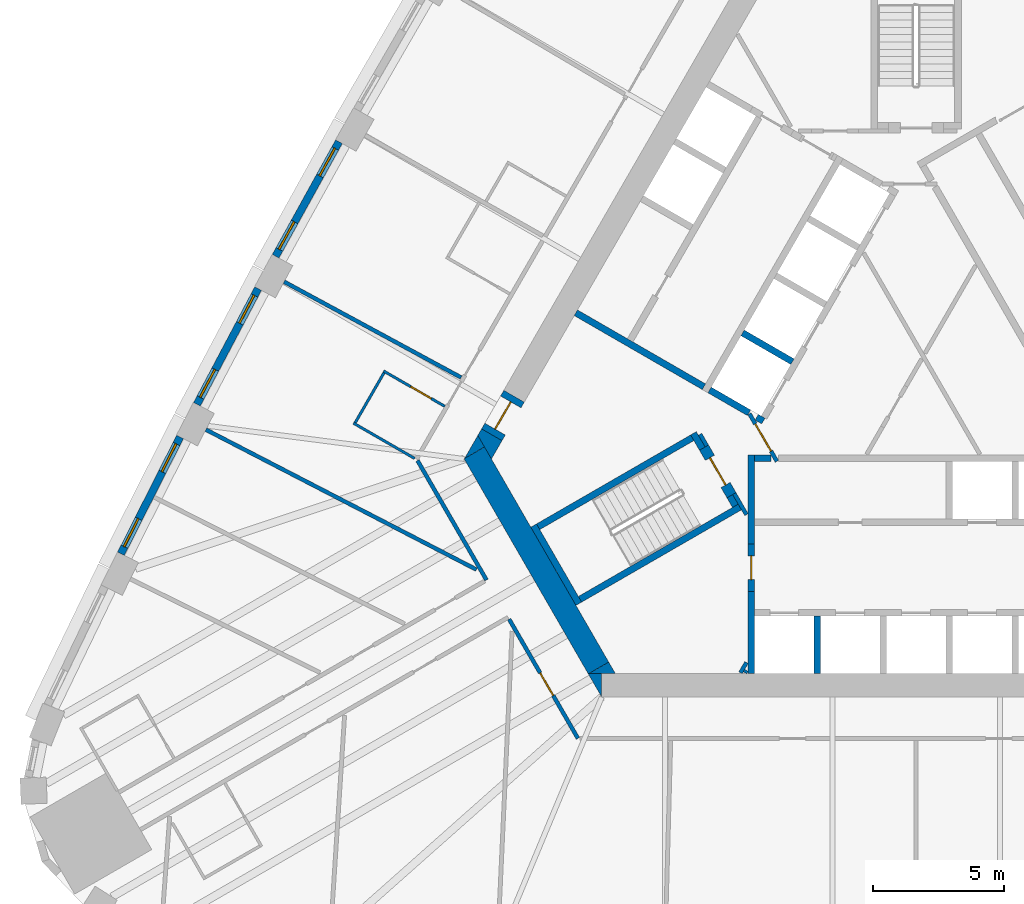
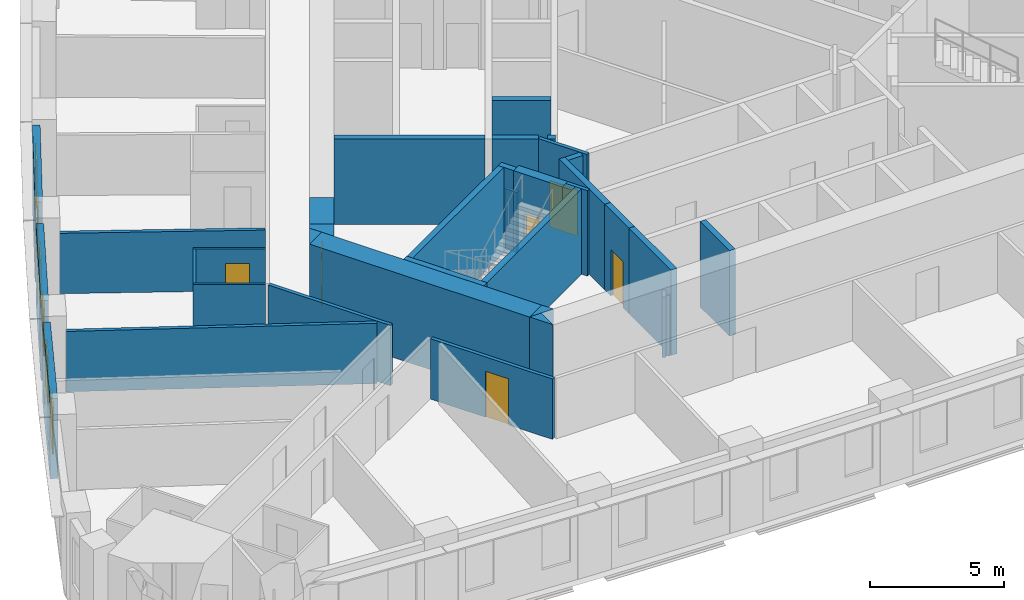
# One storey, part 4 of 12: 36 walls, 6 doors, 6 windows, 12 openings.
"""IFC4 building model written with IfcOpenShell, lengths in metres."""

from ifc_helpers import new_model, si_unit, direction, frame, frame_2d, origin, place, context, subcontext, project, spatial, polyline, rectangle, outline, extrude, material, layer, layer_set, type_object, element, fill, save


model = new_model("IFC4")

# Units and contexts
model_context = context("Model", 3, precision=1e-05, world=origin(), true_north=direction((0.0, 1.0)))
body_context = subcontext(model_context, "Body", "Model", "MODEL_VIEW")
ifc_project = project(units=[si_unit("LENGTHUNIT", "METRE"), si_unit("AREAUNIT", "SQUARE_METRE"), si_unit("VOLUMEUNIT", "CUBIC_METRE"), si_unit("PLANEANGLEUNIT", "RADIAN"), si_unit("MASSUNIT", "GRAM", prefix="KILO")], contexts=[model_context])

# Site, building, storey
site_placement = place(None, origin())
site = spatial("IfcSite", under=ifc_project, at=site_placement, CompositionType="ELEMENT")
building_placement = place(site_placement, origin())
building = spatial("IfcBuilding", under=site, at=building_placement, Name="Mestral Congress Tower", CompositionType="ELEMENT")
storey_placement = place(building_placement, frame((0.0, 0.0, 43.199951171875)))
storey = spatial("IfcBuildingStorey", under=building, at=storey_placement, Name="L09", CompositionType="ELEMENT", Elevation=43.199951171875)

# Walls
ifc_material_1 = material(Name="Fire-rated board partition")
ifc_layer_1 = layer(ifc_material_1, 0.14990234375)
ifc_layer_set_1 = layer_set([ifc_layer_1], Name="Fire-rated board partition")
wall_type_1 = type_object("IfcWallType", Name="Core partition 150", PredefinedType="PARTITIONING", material=ifc_layer_set_1)
wall_1_placement = place(storey_placement, frame((-6.707763671875, -12.068115234375, 0.0), z_axis=(0.0, 0.0, 1.0), x_axis=(0.500000789788, 0.8660249478, 0.0)))
element("IfcWall", 1, at=wall_1_placement, inside=storey, type_object=wall_type_1, Name="L09 core wall", PredefinedType="PARTITIONING", context=body_context, shape_type="SweptSolid", body=[
    extrude(rectangle(XDim=0.45556640625, YDim=0.14990234375, at=frame_2d((0.227783203125, 0.0))), origin(), (0.0, 0.0, 1.0), 2.75),
])
wall_2_placement = place(storey_placement, frame((-6.534423828125, -12.068115234375, 0.0), z_axis=(0.0, 0.0, 1.0), x_axis=(0.500240224089, 0.865886665912, 0.0)))
element("IfcWall", 2, at=wall_2_placement, inside=storey, type_object=wall_type_1, Name="L09 core wall", PredefinedType="PARTITIONING", context=body_context, shape_type="SweptSolid", body=[
    extrude(rectangle(XDim=0.10888671875, YDim=0.14990234375, at=frame_2d((0.054443359375, 0.0))), origin(), (0.0, 0.0, 1.0), 2.75),
])
wall_3_placement = place(storey_placement, frame((-8.251953125, -2.958251953125, 0.0), z_axis=(0.0, 0.0, 1.0), x_axis=(0.500174715838, -0.865924508047, 0.0)))
element("IfcWall", 3, at=wall_3_placement, inside=storey, type_object=wall_type_1, Name="L09 core wall", PredefinedType="PARTITIONING", context=body_context, shape_type="SweptSolid", body=[
    extrude(rectangle(XDim=0.513916015625, YDim=0.14990234375, at=frame_2d((0.2568359375, 0.0))), origin(), (0.0, 0.0, 1.0), 2.75),
])
ifc_material_2 = material(Name="Concrete C60/75", Category="concrete")
ifc_layer_2 = layer(ifc_material_2, 0.89990234375)
ifc_layer_set_2 = layer_set([ifc_layer_2], Name="Concrete C60/75")
wall_type_2 = type_object("IfcWallType", Name="Core wall RC 900", PredefinedType="SOLIDWALL", material=ifc_layer_set_2)
placement = place(storey_placement, origin())
element("IfcWall", 4, at=placement, inside=storey, type_object=wall_type_2, Name="L09 core wall", PredefinedType="SOLIDWALL", context=body_context, shape_type="SweptSolid", body=[
    extrude(outline(polyline([(-12.528564453125, -12.10009765625), (-12.0205078125, -12.10009765625), (-12.0205078125, -12.97998046875), (-12.528564453125, -12.10009765625)])), origin(), (0.0, 0.0, 1.0), 3.900146484375),
])
wall_5_placement = place(storey_placement, frame((-12.134033203125, -11.88330078125, 0.0), z_axis=(0.0, 0.0, 1.0), x_axis=(-0.500005339912, 0.866022320763, 0.0)))
element("IfcWall", 5, at=wall_5_placement, inside=storey, type_object=wall_type_2, Name="L09 core wall", PredefinedType="SOLIDWALL", context=body_context, shape_type="SweptSolid", body=[
    extrude(rectangle(XDim=9.48779296875, YDim=0.89990234375, at=frame_2d((4.743896484375, 0.0))), origin(), (0.0, 0.0, 1.0), 3.900146484375),
])
element("IfcWall", 6, at=placement, inside=storey, type_object=wall_type_2, Name="L09 core wall", PredefinedType="SOLIDWALL", context=body_context, shape_type="SweptSolid", body=[
    extrude(outline(polyline([(-16.4892578125, -3.43994140625), (-17.251220703125, -3.8798828125), (-16.7431640625, -3.0), (-16.4892578125, -3.43994140625)])), origin(), (0.0, 0.0, 1.0), 3.900146484375),
])
element("IfcWall", 7, at=placement, inside=storey, type_object=wall_type_2, Name="L09 core wall", PredefinedType="SOLIDWALL", context=body_context, shape_type="SweptSolid", body=[
    extrude(outline(polyline([(-11.4892578125, -12.10009765625), (-12.50537109375, -12.10009765625), (-11.743408203125, -11.66015625), (-11.4892578125, -12.10009765625)])), origin(), (0.0, 0.0, 1.0), 3.900146484375),
])
element("IfcWall", 8, at=placement, inside=storey, type_object=wall_type_2, Name="L09 core wall", PredefinedType="SOLIDWALL", context=body_context, shape_type="SweptSolid", body=[
    extrude(outline(polyline([(-15.81982421875, -3.20068359375), (-16.223388671875, -3.89990234375), (-16.7431640625, -3.0), (-16.599365234375, -2.750732421875), (-15.81982421875, -3.20068359375)])), origin(), (0.0, 0.0, 1.0), 3.900146484375),
])

# Wall, opening, door
wall_9_placement = place(storey_placement, frame((-16.20947265625, -2.9755859375, 0.0), z_axis=(0.0, 0.0, 1.0), x_axis=(0.499954529098, 0.86605165483, 0.0)))
wall_9 = element("IfcWall", 9, at=wall_9_placement, inside=storey, type_object=wall_type_2, Name="L09 door wall", PredefinedType="SOLIDWALL", context=body_context, shape_type="SweptSolid", body=[
    extrude(rectangle(XDim=1.699951171875, YDim=0.89990234375, at=frame_2d((0.85009765625, 0.0))), origin(), (0.0, 0.0, 1.0), 3.900146484375),
])
opening_1_placement = place(wall_9_placement, frame((0.25, 0.0, 0.0)))
opening_1 = element("IfcOpeningElement", 10, at=opening_1_placement, cuts=wall_9, Name="Opening XD3", PredefinedType="OPENING", context=body_context, shape_type="SweptSolid", body=[
    extrude(rectangle(XDim=1.199951171875, YDim=2.10009765625, at=frame_2d((0.60009765625, 1.050048828125))), frame((0.0, 0.4599609375, 0.0), z_axis=(0.0, -1.0, 0.0), x_axis=(1.0, 0.0, 0.0)), (0.0, 0.0, 1.0), 0.919921875),
])
ifc_material_3 = material(Name="Fire-rated steel door set", Category="steel")
door_type_1 = type_object("IfcDoorType", Name="Core door XD 1200x2100", OperationType="SINGLE_SWING_LEFT", PredefinedType="DOOR", material=ifc_material_3)
door_1_placement = place(opening_1_placement, origin())
door_1 = element("IfcDoor", 11, at=door_1_placement, inside=storey, type_object=door_type_1, Name="Door XD3", OperationType="SINGLE_SWING_LEFT", OverallHeight=2.10009765625, OverallWidth=1.199951171875, PredefinedType="DOOR", context=body_context, shape_type="SweptSolid", body=[
    extrude(rectangle(XDim=1.199951171875, YDim=2.10009765625, at=frame_2d((0.60009765625, 1.050048828125))), frame((0.0, 0.02490234375, 0.0), z_axis=(0.0, -1.0, 0.0), x_axis=(1.0, 0.0, 0.0)), (0.0, 0.0, 1.0), 0.050048828125),
])
fill(opening_1, door_1)

# Wall, openings, windows
ifc_material_4 = material(Name="Precast concrete C40/50 with limestone facing", Category="masonry")
ifc_layer_3 = layer(ifc_material_4, 0.2900390625)
ifc_layer_set_3 = layer_set([ifc_layer_3], Name="Precast concrete C40/50 with limestone facing")
wall_type_3 = type_object("IfcWallType", Name="Facade stone wall 290", PredefinedType="SOLIDWALL", material=ifc_layer_set_3)
wall_10_placement = place(storey_placement, frame((-22.049560546875, 8.2197265625, 0.0), z_axis=(0.0, 0.0, 1.0), x_axis=(-0.483912572871, -0.875116347589, 0.0)))
wall_10 = element("IfcWall", 12, at=wall_10_placement, inside=storey, type_object=wall_type_3, Name="Facade wall F2-05", PredefinedType="SOLIDWALL", context=body_context, shape_type="SweptSolid", body=[
    extrude(rectangle(XDim=4.998291015625, YDim=0.2900390625, at=frame_2d((2.4990234375, 0.0))), origin(), (0.0, 0.0, 1.0), 3.650146484375),
])
opening_2_placement = place(wall_10_placement, frame((0.297119140625, 0.0, 0.89990234375)))
opening_2 = element("IfcOpeningElement", 13, at=opening_2_placement, cuts=wall_10, Name="Opening W1", PredefinedType="OPENING", context=body_context, shape_type="SweptSolid", body=[
    extrude(rectangle(XDim=1.199951171875, YDim=2.14990234375, at=frame_2d((0.60009765625, 1.074951171875))), frame((0.0, 0.155029296875, 0.0), z_axis=(0.0, -1.0, 0.0), x_axis=(1.0, 0.0, 0.0)), (0.0, 0.0, 1.0), 0.31005859375),
])
opening_3_placement = place(wall_10_placement, frame((3.501220703125, 0.0, 0.89990234375)))
opening_3 = element("IfcOpeningElement", 14, at=opening_3_placement, cuts=wall_10, Name="Opening W1", PredefinedType="OPENING", context=body_context, shape_type="SweptSolid", body=[
    extrude(rectangle(XDim=1.199951171875, YDim=2.14990234375, at=frame_2d((0.60009765625, 1.074951171875))), frame((0.0, 0.155029296875, 0.0), z_axis=(0.0, -1.0, 0.0), x_axis=(1.0, 0.0, 0.0)), (0.0, 0.0, 1.0), 0.31005859375),
])
ifc_material_5 = material(Name="Clear low-emissivity double glazing", Category="glass")
window_type = type_object("IfcWindowType", Name="Facade punched window 1200 x 2150 sill 900", PartitioningType="DOUBLE_PANEL_VERTICAL", PredefinedType="WINDOW", material=ifc_material_5)
window_1_placement = place(opening_2_placement, origin())
window_1 = element("IfcWindow", 15, at=window_1_placement, inside=storey, type_object=window_type, Name="Window F2-05a", OverallHeight=2.14990234375, OverallWidth=1.199951171875, PartitioningType="DOUBLE_PANEL_VERTICAL", PredefinedType="WINDOW", context=body_context, shape_type="SweptSolid", body=[
    extrude(rectangle(XDim=1.199951171875, YDim=2.14990234375, at=frame_2d((0.60009765625, 1.074951171875))), frame((0.0, 0.01513671875, 0.0), z_axis=(0.0, -1.0, 0.0), x_axis=(1.0, 0.0, 0.0)), (0.0, 0.0, 1.0), 0.06005859375),
])
fill(opening_2, window_1)
window_2_placement = place(opening_3_placement, origin())
window_2 = element("IfcWindow", 16, at=window_2_placement, inside=storey, type_object=window_type, Name="Window F2-05b", OverallHeight=2.14990234375, OverallWidth=1.199951171875, PartitioningType="DOUBLE_PANEL_VERTICAL", PredefinedType="WINDOW", context=body_context, shape_type="SweptSolid", body=[
    extrude(rectangle(XDim=1.199951171875, YDim=2.14990234375, at=frame_2d((0.60009765625, 1.074951171875))), frame((0.0, 0.01513671875, 0.0), z_axis=(0.0, -1.0, 0.0), x_axis=(1.0, 0.0, 0.0)), (0.0, 0.0, 1.0), 0.06005859375),
])
fill(opening_3, window_2)

wall_11_placement = place(storey_placement, frame((-25.1376953125, 2.60791015625, 0.0), z_axis=(0.0, 0.0, 1.0), x_axis=(-0.467629620899, -0.883924509026, 0.0)))
wall_11 = element("IfcWall", 17, at=wall_11_placement, inside=storey, type_object=wall_type_3, Name="Facade wall F2-06", PredefinedType="SOLIDWALL", context=body_context, shape_type="SweptSolid", body=[
    extrude(rectangle(XDim=4.998291015625, YDim=0.2900390625, at=frame_2d((2.4990234375, 0.0))), origin(), (0.0, 0.0, 1.0), 3.650146484375),
])
opening_4_placement = place(wall_11_placement, frame((0.297119140625, 0.0, 0.89990234375)))
opening_4 = element("IfcOpeningElement", 18, at=opening_4_placement, cuts=wall_11, Name="Opening W1", PredefinedType="OPENING", context=body_context, shape_type="SweptSolid", body=[
    extrude(rectangle(XDim=1.199951171875, YDim=2.14990234375, at=frame_2d((0.60009765625, 1.074951171875))), frame((0.0, 0.155029296875, 0.0), z_axis=(0.0, -1.0, 0.0), x_axis=(1.0, 0.0, 0.0)), (0.0, 0.0, 1.0), 0.31005859375),
])
opening_5_placement = place(wall_11_placement, frame((3.501220703125, 0.0, 0.89990234375)))
opening_5 = element("IfcOpeningElement", 19, at=opening_5_placement, cuts=wall_11, Name="Opening W1", PredefinedType="OPENING", context=body_context, shape_type="SweptSolid", body=[
    extrude(rectangle(XDim=1.199951171875, YDim=2.14990234375, at=frame_2d((0.60009765625, 1.074951171875))), frame((0.0, 0.155029296875, 0.0), z_axis=(0.0, -1.0, 0.0), x_axis=(1.0, 0.0, 0.0)), (0.0, 0.0, 1.0), 0.31005859375),
])
window_3_placement = place(opening_4_placement, origin())
window_3 = element("IfcWindow", 20, at=window_3_placement, inside=storey, type_object=window_type, Name="Window F2-06a", OverallHeight=2.14990234375, OverallWidth=1.199951171875, PartitioningType="DOUBLE_PANEL_VERTICAL", PredefinedType="WINDOW", context=body_context, shape_type="SweptSolid", body=[
    extrude(rectangle(XDim=1.199951171875, YDim=2.14990234375, at=frame_2d((0.60009765625, 1.074951171875))), frame((0.0, 0.01513671875, 0.0), z_axis=(0.0, -1.0, 0.0), x_axis=(1.0, 0.0, 0.0)), (0.0, 0.0, 1.0), 0.06005859375),
])
fill(opening_4, window_3)
window_4_placement = place(opening_5_placement, origin())
window_4 = element("IfcWindow", 21, at=window_4_placement, inside=storey, type_object=window_type, Name="Window F2-06b", OverallHeight=2.14990234375, OverallWidth=1.199951171875, PartitioningType="DOUBLE_PANEL_VERTICAL", PredefinedType="WINDOW", context=body_context, shape_type="SweptSolid", body=[
    extrude(rectangle(XDim=1.199951171875, YDim=2.14990234375, at=frame_2d((0.60009765625, 1.074951171875))), frame((0.0, 0.01513671875, 0.0), z_axis=(0.0, -1.0, 0.0), x_axis=(1.0, 0.0, 0.0)), (0.0, 0.0, 1.0), 0.06005859375),
])
fill(opening_5, window_4)

wall_12_placement = place(storey_placement, frame((-28.12158203125, -3.06005859375, 0.0), z_axis=(0.0, 0.0, 1.0), x_axis=(-0.451233929645, -0.892405704115, 0.0)))
wall_12 = element("IfcWall", 22, at=wall_12_placement, inside=storey, type_object=wall_type_3, Name="Facade wall F2-07", PredefinedType="SOLIDWALL", context=body_context, shape_type="SweptSolid", body=[
    extrude(rectangle(XDim=4.998291015625, YDim=0.2900390625, at=frame_2d((2.4990234375, 0.0))), origin(), (0.0, 0.0, 1.0), 3.650146484375),
])
opening_6_placement = place(wall_12_placement, frame((0.297119140625, 0.0, 0.89990234375)))
opening_6 = element("IfcOpeningElement", 23, at=opening_6_placement, cuts=wall_12, Name="Opening W1", PredefinedType="OPENING", context=body_context, shape_type="SweptSolid", body=[
    extrude(rectangle(XDim=1.199951171875, YDim=2.14990234375, at=frame_2d((0.60009765625, 1.074951171875))), frame((0.0, 0.155029296875, 0.0), z_axis=(0.0, -1.0, 0.0), x_axis=(1.0, 0.0, 0.0)), (0.0, 0.0, 1.0), 0.31005859375),
])
opening_7_placement = place(wall_12_placement, frame((3.501220703125, 0.0, 0.89990234375)))
opening_7 = element("IfcOpeningElement", 24, at=opening_7_placement, cuts=wall_12, Name="Opening W1", PredefinedType="OPENING", context=body_context, shape_type="SweptSolid", body=[
    extrude(rectangle(XDim=1.199951171875, YDim=2.14990234375, at=frame_2d((0.60009765625, 1.074951171875))), frame((0.0, 0.155029296875, 0.0), z_axis=(0.0, -1.0, 0.0), x_axis=(1.0, 0.0, 0.0)), (0.0, 0.0, 1.0), 0.31005859375),
])
window_5_placement = place(opening_6_placement, origin())
window_5 = element("IfcWindow", 25, at=window_5_placement, inside=storey, type_object=window_type, Name="Window F2-07a", OverallHeight=2.14990234375, OverallWidth=1.199951171875, PartitioningType="DOUBLE_PANEL_VERTICAL", PredefinedType="WINDOW", context=body_context, shape_type="SweptSolid", body=[
    extrude(rectangle(XDim=1.199951171875, YDim=2.14990234375, at=frame_2d((0.60009765625, 1.074951171875))), frame((0.0, 0.01513671875, 0.0), z_axis=(0.0, -1.0, 0.0), x_axis=(1.0, 0.0, 0.0)), (0.0, 0.0, 1.0), 0.06005859375),
])
fill(opening_6, window_5)
window_6_placement = place(opening_7_placement, origin())
window_6 = element("IfcWindow", 26, at=window_6_placement, inside=storey, type_object=window_type, Name="Window F2-07b", OverallHeight=2.14990234375, OverallWidth=1.199951171875, PartitioningType="DOUBLE_PANEL_VERTICAL", PredefinedType="WINDOW", context=body_context, shape_type="SweptSolid", body=[
    extrude(rectangle(XDim=1.199951171875, YDim=2.14990234375, at=frame_2d((0.60009765625, 1.074951171875))), frame((0.0, 0.01513671875, 0.0), z_axis=(0.0, -1.0, 0.0), x_axis=(1.0, 0.0, 0.0)), (0.0, 0.0, 1.0), 0.06005859375),
])
fill(opening_7, window_6)

# Wall, opening, door
ifc_material_6 = material(Name="Gypsum board partition on metal studs with mineral wool", Category="composite")
ifc_layer_4 = layer(ifc_material_6, 0.10009765625)
ifc_layer_set_4 = layer_set([ifc_layer_4], Name="Gypsum board partition on metal studs with mineral wool")
wall_type_4 = type_object("IfcWallType", Name="Hotel partition wall 100", PredefinedType="PARTITIONING", material=ifc_layer_set_4)
wall_13_placement = place(storey_placement, frame((-18.00634765625, -1.887939453125, 0.0), z_axis=(0.0, 0.0, 1.0), x_axis=(-0.866036505625, 0.499980770555, 0.0)))
wall_13 = element("IfcWall", 27, at=wall_13_placement, inside=storey, type_object=wall_type_4, Name="L09-h-pod24a", PredefinedType="PARTITIONING", context=body_context, shape_type="SweptSolid", body=[
    extrude(rectangle(XDim=2.69970703125, YDim=0.10009765625, at=frame_2d((1.349853515625, 0.0))), origin(), (0.0, 0.0, 1.0), 2.75),
])
opening_8_placement = place(wall_13_placement, frame((0.60009765625, 0.0, 0.0)))
opening_8 = element("IfcOpeningElement", 28, at=opening_8_placement, cuts=wall_13, Name="Opening H02-040", PredefinedType="OPENING", context=body_context, shape_type="SweptSolid", body=[
    extrude(rectangle(XDim=0.89990234375, YDim=2.10009765625, at=frame_2d((0.449951171875, 1.050048828125))), frame((0.0, 0.06005859375, 0.0), z_axis=(0.0, -1.0, 0.0), x_axis=(1.0, 0.0, 0.0)), (0.0, 0.0, 1.0), 0.1201171875),
])
ifc_material_7 = material(Name="Timber veneer door leaf in timber frame", Category="wood")
door_type_2 = type_object("IfcDoorType", Name="Bathroom door 900", OperationType="SINGLE_SWING_LEFT", PredefinedType="DOOR", material=ifc_material_7)
door_2_placement = place(opening_8_placement, origin())
door_2 = element("IfcDoor", 29, at=door_2_placement, inside=storey, type_object=door_type_2, Name="L09-h-d040", OperationType="SINGLE_SWING_RIGHT", OverallHeight=2.10009765625, OverallWidth=0.89990234375, PredefinedType="DOOR", context=body_context, shape_type="SweptSolid", body=[
    extrude(rectangle(XDim=0.89990234375, YDim=2.10009765625, at=frame_2d((0.449951171875, 1.050048828125))), frame((0.0, 0.02490234375, 0.0), z_axis=(0.0, -1.0, 0.0), x_axis=(1.0, 0.0, 0.0)), (0.0, 0.0, 1.0), 0.050048828125),
])
fill(opening_8, door_2)

# Walls
wall_14_placement = place(storey_placement, frame((-20.326416015625, -0.606201171875, 0.0), z_axis=(0.0, 0.0, 1.0), x_axis=(-0.499946605688, -0.86605622881, 0.0)))
element("IfcWall", 30, at=wall_14_placement, inside=storey, type_object=wall_type_4, Name="L09-h-pod24b", PredefinedType="PARTITIONING", context=body_context, shape_type="SweptSolid", body=[
    extrude(rectangle(XDim=2.199951171875, YDim=0.10009765625, at=frame_2d((1.10009765625, 0.0))), origin(), (0.0, 0.0, 1.0), 2.75),
])
wall_15_placement = place(storey_placement, frame((-19.156494140625, -3.8798828125, 0.0), z_axis=(0.0, 0.0, 1.0), x_axis=(-0.86599734893, 0.500048589285, 0.0)))
element("IfcWall", 31, at=wall_15_placement, inside=storey, type_object=wall_type_4, Name="L09-h-pod24c", PredefinedType="PARTITIONING", context=body_context, shape_type="SweptSolid", body=[
    extrude(rectangle(XDim=2.699951171875, YDim=0.10009765625, at=frame_2d((1.35009765625, 0.0))), origin(), (0.0, 0.0, 1.0), 2.75),
])
ifc_layer_5 = layer(ifc_material_6, 0.14990234375)
ifc_layer_set_5 = layer_set([ifc_layer_5], Name="Gypsum board partition on metal studs with mineral wool")
wall_type_5 = type_object("IfcWallType", Name="Hotel partition wall 150", PredefinedType="PARTITIONING", material=ifc_layer_set_5)
wall_16_placement = place(storey_placement, frame((-16.412353515625, -8.52294921875, 0.0), z_axis=(0.0, 0.0, 1.0), x_axis=(-0.500001929737, 0.866024289647, 0.0)))
element("IfcWall", 32, at=wall_16_placement, inside=storey, type_object=wall_type_5, Name="L09-h-cw09", PredefinedType="PARTITIONING", context=body_context, shape_type="SweptSolid", body=[
    extrude(rectangle(XDim=5.26806640625, YDim=0.14990234375, at=frame_2d((2.634033203125, 0.0))), origin(), (0.0, 0.0, 1.0), 2.75),
])

# Wall, opening, door
wall_17_placement = place(storey_placement, frame((-12.918212890625, -14.574951171875, 0.0), z_axis=(0.0, 0.0, 1.0), x_axis=(-0.500009150678, 0.866020120573, 0.0)))
wall_17 = element("IfcWall", 33, at=wall_17_placement, inside=storey, type_object=wall_type_5, Name="L09-h-cw12", PredefinedType="PARTITIONING", context=body_context, shape_type="SweptSolid", body=[
    extrude(rectangle(XDim=5.25830078125, YDim=0.14990234375, at=frame_2d((2.629150390625, 0.0))), origin(), (0.0, 0.0, 1.0), 2.75),
])
opening_9_placement = place(wall_17_placement, frame((1.88818359375, 0.0, 0.0)))
opening_9 = element("IfcOpeningElement", 34, at=opening_9_placement, cuts=wall_17, Name="Opening H02-004", PredefinedType="OPENING", context=body_context, shape_type="SweptSolid", body=[
    extrude(rectangle(XDim=1.0, YDim=2.10009765625, at=frame_2d((0.5, 1.050048828125))), frame((0.0, 0.0849609375, 0.0), z_axis=(0.0, -1.0, 0.0), x_axis=(1.0, 0.0, 0.0)), (0.0, 0.0, 1.0), 0.169921875),
])
ifc_material_8 = material(Name="Timber veneer door leaf in metal frame", Category="wood")
door_type_3 = type_object("IfcDoorType", Name="Guest room entrance door 1000", OperationType="SINGLE_SWING_LEFT", PredefinedType="DOOR", material=ifc_material_8)
door_3_placement = place(opening_9_placement, origin())
door_3 = element("IfcDoor", 35, at=door_3_placement, inside=storey, type_object=door_type_3, Name="L09-h-d004", OperationType="SINGLE_SWING_LEFT", OverallHeight=2.10009765625, OverallWidth=1.0, PredefinedType="DOOR", context=body_context, shape_type="SweptSolid", body=[
    extrude(rectangle(XDim=1.0, YDim=2.10009765625, at=frame_2d((0.5, 1.050048828125))), frame((0.0, 0.02490234375, 0.0), z_axis=(0.0, -1.0, 0.0), x_axis=(1.0, 0.0, 0.0)), (0.0, 0.0, 1.0), 0.050048828125),
])
fill(opening_9, door_3)

# Walls
wall_18_placement = place(storey_placement, frame((-24.14453125, 2.87060546875, 0.0), z_axis=(0.0, 0.0, 1.0), x_axis=(0.879551725039, -0.475803281809, 0.0)))
element("IfcWall", 36, at=wall_18_placement, inside=storey, type_object=wall_type_5, Name="L09-h-pw05", PredefinedType="PARTITIONING", context=body_context, shape_type="SweptSolid", body=[
    extrude(rectangle(XDim=7.68798828125, YDim=0.14990234375, at=frame_2d((3.843994140625, 0.0))), origin(), (0.0, 0.0, 1.0), 2.75),
])
wall_19_placement = place(storey_placement, frame((-27.133544921875, -2.779052734375, 0.0), z_axis=(0.0, 0.0, 1.0), x_axis=(0.8882049501, -0.459447457951, 0.0)))
element("IfcWall", 37, at=wall_19_placement, inside=storey, type_object=wall_type_5, Name="L09-h-pw06", PredefinedType="PARTITIONING", context=body_context, shape_type="SweptSolid", body=[
    extrude(rectangle(XDim=11.63818359375, YDim=0.14990234375, at=frame_2d((5.819091796875, 0.0))), origin(), (0.0, 0.0, 1.0), 2.75),
])
ifc_layer_6 = layer(ifc_material_2, 0.25)
ifc_layer_set_6 = layer_set([ifc_layer_6], Name="Concrete C60/75")
wall_type_6 = type_object("IfcWallType", Name="Shaft wall RC 250", PredefinedType="SOLIDWALL", material=ifc_layer_set_6)
wall_20_placement = place(storey_placement, frame((-3.780029296875, -12.10009765625, 0.0), z_axis=(0.0, 0.0, 1.0), x_axis=(0.0, 1.0, 0.0)))
element("IfcWall", 38, at=wall_20_placement, inside=storey, type_object=wall_type_6, Name="L09 core wall", PredefinedType="SOLIDWALL", context=body_context, shape_type="SweptSolid", body=[
    extrude(rectangle(XDim=2.199951171875, YDim=0.25, at=frame_2d((1.10009765625, 0.0))), origin(), (0.0, 0.0, 1.0), 3.900146484375),
])
wall_21_placement = place(storey_placement, frame((-6.300048828125, -12.10009765625, 0.0), z_axis=(0.0, 0.0, 1.0), x_axis=(0.0, 1.0, 0.0)))
element("IfcWall", 39, at=wall_21_placement, inside=storey, type_object=wall_type_6, Name="L09 core wall", PredefinedType="SOLIDWALL", context=body_context, shape_type="SweptSolid", body=[
    extrude(rectangle(XDim=3.1455078125, YDim=0.25, at=frame_2d((1.57275390625, 0.0))), origin(), (0.0, 0.0, 1.0), 3.900146484375),
])
wall_22_placement = place(storey_placement, frame((-6.300048828125, -3.75, 0.0), z_axis=(0.0, 0.0, 1.0), x_axis=(0.0, -1.0, 0.0)))
element("IfcWall", 40, at=wall_22_placement, inside=storey, type_object=wall_type_6, Name="L09 core wall", PredefinedType="SOLIDWALL", context=body_context, shape_type="SweptSolid", body=[
    extrude(rectangle(XDim=3.404296875, YDim=0.25, at=frame_2d((1.7021484375, 0.0))), origin(), (0.0, 0.0, 1.0), 3.900146484375),
])
wall_23_placement = place(storey_placement, frame((-6.175048828125, -3.875, 0.0), z_axis=(0.0, 0.0, 1.0), x_axis=(1.0, 0.0, 0.0)))
element("IfcWall", 41, at=wall_23_placement, inside=storey, type_object=wall_type_6, Name="L09 core wall", PredefinedType="SOLIDWALL", context=body_context, shape_type="SweptSolid", body=[
    extrude(rectangle(XDim=0.63671875, YDim=0.25, at=frame_2d((0.318359375, 0.0))), origin(), (0.0, 0.0, 1.0), 3.900146484375),
])
wall_24_placement = place(storey_placement, frame((-4.72412109375, -0.182373046875, 0.0), z_axis=(0.0, 0.0, 1.0), x_axis=(-0.866008176907, 0.50002983664, 0.0)))
element("IfcWall", 42, at=wall_24_placement, inside=storey, type_object=wall_type_6, Name="L09 core wall", PredefinedType="SOLIDWALL", context=body_context, shape_type="SweptSolid", body=[
    extrude(rectangle(XDim=2.199951171875, YDim=0.25, at=frame_2d((1.10009765625, 0.0))), origin(), (0.0, 0.0, 1.0), 3.900146484375),
])
wall_25_placement = place(storey_placement, frame((-6.088134765625, -2.3046875, 0.0), z_axis=(0.0, 0.0, 1.0), x_axis=(0.866059450854, -0.499941024108, 0.0)))
element("IfcWall", 43, at=wall_25_placement, inside=storey, type_object=wall_type_6, Name="L09 core wall", PredefinedType="SOLIDWALL", context=body_context, shape_type="SweptSolid", body=[
    extrude(rectangle(XDim=0.2900390625, YDim=0.25, at=frame_2d((0.14501953125, 0.0))), origin(), (0.0, 0.0, 1.0), 3.900146484375),
])
wall_26_placement = place(storey_placement, frame((-7.889404296875, -1.2646484375, 0.0), z_axis=(0.0, 0.0, 1.0), x_axis=(0.865986741702, -0.500066958712, 0.0)))
element("IfcWall", 44, at=wall_26_placement, inside=storey, type_object=wall_type_6, Name="L09 core wall", PredefinedType="SOLIDWALL", context=body_context, shape_type="SweptSolid", body=[
    extrude(rectangle(XDim=1.738037109375, YDim=0.25, at=frame_2d((0.869140625, 0.0))), origin(), (0.0, 0.0, 1.0), 3.900146484375),
])
wall_27_placement = place(storey_placement, frame((-8.10595703125, -1.139892578125, 0.0), z_axis=(0.0, 0.0, 1.0), x_axis=(-0.866000643155, 0.500042884217, 0.0)))
element("IfcWall", 45, at=wall_27_placement, inside=storey, type_object=wall_type_6, Name="L09 core wall", PredefinedType="SOLIDWALL", context=body_context, shape_type="SweptSolid", body=[
    extrude(rectangle(XDim=5.64990234375, YDim=0.25, at=frame_2d((2.824951171875, 0.0))), origin(), (0.0, 0.0, 1.0), 3.900146484375),
])

# Wall, opening, door
wall_28_placement = place(storey_placement, frame((-6.300048828125, -7.154296875, 0.0), z_axis=(0.0, 0.0, 1.0), x_axis=(0.0, -1.0, 0.0)))
wall_28 = element("IfcWall", 46, at=wall_28_placement, inside=storey, type_object=wall_type_6, Name="L09 door wall", PredefinedType="SOLIDWALL", context=body_context, shape_type="SweptSolid", body=[
    extrude(rectangle(XDim=1.800048828125, YDim=0.25, at=frame_2d((0.89990234375, 0.0))), origin(), (0.0, 0.0, 1.0), 3.900146484375),
])
opening_10_placement = place(wall_28_placement, frame((0.449951171875, 0.0, 0.0)))
opening_10 = element("IfcOpeningElement", 47, at=opening_10_placement, cuts=wall_28, Name="Opening TD3", PredefinedType="OPENING", context=body_context, shape_type="SweptSolid", body=[
    extrude(rectangle(XDim=0.89990234375, YDim=2.10009765625, at=frame_2d((0.449951171875, 1.050048828125))), frame((0.0, 0.135009765625, 0.0), z_axis=(0.0, -1.0, 0.0), x_axis=(1.0, 0.0, 0.0)), (0.0, 0.0, 1.0), 0.27001953125),
])
door_type_4 = type_object("IfcDoorType", Name="Core door SR 900x2100", OperationType="SINGLE_SWING_LEFT", PredefinedType="DOOR", material=ifc_material_3)
door_4_placement = place(opening_10_placement, origin())
door_4 = element("IfcDoor", 48, at=door_4_placement, inside=storey, type_object=door_type_4, Name="Door TD3", OperationType="SINGLE_SWING_LEFT", OverallHeight=2.10009765625, OverallWidth=0.89990234375, PredefinedType="DOOR", context=body_context, shape_type="SweptSolid", body=[
    extrude(rectangle(XDim=0.89990234375, YDim=2.10009765625, at=frame_2d((0.449951171875, 1.050048828125))), frame((0.0, 0.02490234375, 0.0), z_axis=(0.0, -1.0, 0.0), x_axis=(1.0, 0.0, 0.0)), (0.0, 0.0, 1.0), 0.050048828125),
])
fill(opening_10, door_4)

# Wall
ifc_layer_7 = layer(ifc_material_2, 0.14990234375)
ifc_layer_set_7 = layer_set([ifc_layer_7], Name="Concrete C60/75")
wall_type_7 = type_object("IfcWallType", Name="Shaft wall RC 250 door-wall 150", PredefinedType="SOLIDWALL", material=ifc_layer_set_7)
wall_29_placement = place(storey_placement, frame((-6.48046875, -6.026611328125, 0.0), z_axis=(0.0, 0.0, 1.0), x_axis=(-0.499927229454, 0.866067413802, 0.0)))
element("IfcWall", 49, at=wall_29_placement, inside=storey, type_object=wall_type_7, Name="L09 core wall", PredefinedType="PARTITIONING", context=body_context, shape_type="SweptSolid", body=[
    extrude(rectangle(XDim=0.928955078125, YDim=0.14990234375, at=frame_2d((0.46435546875, 0.0))), origin(), (0.0, 0.0, 1.0), 3.900146484375),
])

# Wall, opening, door
wall_30_placement = place(storey_placement, frame((-5.3173828125, -3.98974609375, 0.0), z_axis=(0.0, 0.0, 1.0), x_axis=(-0.500027713859, 0.866009402589, 0.0)))
wall_30 = element("IfcWall", 50, at=wall_30_placement, inside=storey, type_object=wall_type_7, Name="L09 door wall", PredefinedType="PARTITIONING", context=body_context, shape_type="SweptSolid", body=[
    extrude(rectangle(XDim=2.10009765625, YDim=0.14990234375, at=frame_2d((1.050048828125, 0.0))), origin(), (0.0, 0.0, 1.0), 3.900146484375),
])
opening_11_placement = place(wall_30_placement, frame((0.449951171875, 0.0, 0.0)))
opening_11 = element("IfcOpeningElement", 51, at=opening_11_placement, cuts=wall_30, Name="Opening CD3-FF", PredefinedType="OPENING", context=body_context, shape_type="SweptSolid", body=[
    extrude(rectangle(XDim=1.199951171875, YDim=2.10009765625, at=frame_2d((0.60009765625, 1.050048828125))), frame((0.0, 0.0849609375, 0.0), z_axis=(0.0, -1.0, 0.0), x_axis=(1.0, 0.0, 0.0)), (0.0, 0.0, 1.0), 0.169921875),
])
door_type_5 = type_object("IfcDoorType", Name="Core door CD 1200x2100", OperationType="SINGLE_SWING_LEFT", PredefinedType="DOOR", material=ifc_material_3)
door_5_placement = place(opening_11_placement, origin())
door_5 = element("IfcDoor", 52, at=door_5_placement, inside=storey, type_object=door_type_5, Name="Door CD3-FF", OperationType="SINGLE_SWING_LEFT", OverallHeight=2.10009765625, OverallWidth=1.199951171875, PredefinedType="DOOR", context=body_context, shape_type="SweptSolid", body=[
    extrude(rectangle(XDim=1.199951171875, YDim=2.10009765625, at=frame_2d((0.60009765625, 1.050048828125))), frame((0.0, 0.02490234375, 0.0), z_axis=(0.0, -1.0, 0.0), x_axis=(1.0, 0.0, 0.0)), (0.0, 0.0, 1.0), 0.050048828125),
])
fill(opening_11, door_5)

# Walls
ifc_layer_8 = layer(ifc_material_2, 0.25)
ifc_layer_set_8 = layer_set([ifc_layer_8], Name="Concrete C60/75")
wall_type_8 = type_object("IfcWallType", Name="Stair wall RC 250", PredefinedType="SOLIDWALL", material=ifc_layer_set_8)
wall_31_placement = place(storey_placement, frame((-12.885498046875, -9.431396484375, 0.0), z_axis=(0.0, 0.0, 1.0), x_axis=(-0.500020560727, 0.866013532718, 0.0)))
element("IfcWall", 53, at=wall_31_placement, inside=storey, type_object=wall_type_8, Name="L09 core wall", PredefinedType="SOLIDWALL", context=body_context, shape_type="SweptSolid", body=[
    extrude(rectangle(XDim=3.449951171875, YDim=0.25, at=frame_2d((1.72509765625, 0.0))), origin(), (0.0, 0.0, 1.0), 3.900146484375),
])
wall_32_placement = place(storey_placement, frame((-14.43994140625, -6.489501953125, 0.0), z_axis=(0.0, 0.0, 1.0), x_axis=(0.866022966069, 0.500004222222, 0.0)))
element("IfcWall", 54, at=wall_32_placement, inside=storey, type_object=wall_type_8, Name="L09 core wall", PredefinedType="SOLIDWALL", context=body_context, shape_type="SweptSolid", body=[
    extrude(rectangle(XDim=6.80029296875, YDim=0.25, at=frame_2d((3.400146484375, 0.0))), origin(), (0.0, 0.0, 1.0), 3.900146484375),
])
wall_33_placement = place(storey_placement, frame((-8.167724609375, -3.503173828125, 0.0), z_axis=(0.0, 0.0, 1.0), x_axis=(-0.499952099219, 0.866053057547, 0.0)))
element("IfcWall", 55, at=wall_33_placement, inside=storey, type_object=wall_type_8, Name="L09 core wall", PredefinedType="SOLIDWALL", context=body_context, shape_type="SweptSolid", body=[
    extrude(rectangle(XDim=0.6748046875, YDim=0.25, at=frame_2d((0.33740234375, 0.0))), origin(), (0.0, 0.0, 1.0), 3.900146484375),
])
wall_34_placement = place(storey_placement, frame((-12.83984375, -9.2607421875, 0.0), z_axis=(0.0, 0.0, 1.0), x_axis=(0.866016039709, 0.500016218704, 0.0)))
element("IfcWall", 56, at=wall_34_placement, inside=storey, type_object=wall_type_8, Name="L09 core wall", PredefinedType="SOLIDWALL", context=body_context, shape_type="SweptSolid", body=[
    extrude(rectangle(XDim=7.050048828125, YDim=0.25, at=frame_2d((3.52490234375, 0.0))), origin(), (0.0, 0.0, 1.0), 3.900146484375),
])
wall_35_placement = place(storey_placement, frame((-6.905029296875, -5.68994140625, 0.0), z_axis=(0.0, 0.0, 1.0), x_axis=(-0.500402024738, 0.865793170242, 0.0)))
element("IfcWall", 57, at=wall_35_placement, inside=storey, type_object=wall_type_8, Name="L09 core wall", PredefinedType="SOLIDWALL", context=body_context, shape_type="SweptSolid", body=[
    extrude(rectangle(XDim=0.425048828125, YDim=0.25, at=frame_2d((0.21240234375, 0.0))), origin(), (0.0, 0.0, 1.0), 3.900146484375),
])

# Wall, opening, door
ifc_layer_9 = layer(ifc_material_2, 0.39990234375)
ifc_layer_set_9 = layer_set([ifc_layer_9], Name="Concrete C60/75")
wall_type_9 = type_object("IfcWallType", Name="Stair wall RC 250 door-wall 400", PredefinedType="SOLIDWALL", material=ifc_layer_set_9)
wall_36_placement = place(storey_placement, frame((-8.102783203125, -3.4658203125, 0.0), z_axis=(0.0, 0.0, 1.0), x_axis=(0.500078061341, -0.865980330357, 0.0)))
wall_36 = element("IfcWall", 58, at=wall_36_placement, inside=storey, type_object=wall_type_9, Name="L09 door wall", PredefinedType="SOLIDWALL", context=body_context, shape_type="SweptSolid", body=[
    extrude(rectangle(XDim=2.099853515625, YDim=0.39990234375, at=frame_2d((1.0498046875, 0.0))), origin(), (0.0, 0.0, 1.0), 3.900146484375),
])
opening_12_placement = place(wall_36_placement, frame((0.449951171875, 0.0, 0.0)))
opening_12 = element("IfcOpeningElement", 59, at=opening_12_placement, cuts=wall_36, Name="Opening ST-D3", PredefinedType="OPENING", context=body_context, shape_type="SweptSolid", body=[
    extrude(rectangle(XDim=1.199951171875, YDim=2.10009765625, at=frame_2d((0.60009765625, 1.050048828125))), frame((0.0, 0.2099609375, 0.0), z_axis=(0.0, -1.0, 0.0), x_axis=(1.0, 0.0, 0.0)), (0.0, 0.0, 1.0), 0.419921875),
])
door_type_6 = type_object("IfcDoorType", Name="Core door ST 1200x2100", OperationType="SINGLE_SWING_LEFT", PredefinedType="DOOR", material=ifc_material_3)
door_6_placement = place(opening_12_placement, origin())
door_6 = element("IfcDoor", 60, at=door_6_placement, inside=storey, type_object=door_type_6, Name="Door ST-D3", OperationType="SINGLE_SWING_LEFT", OverallHeight=2.10009765625, OverallWidth=1.199951171875, PredefinedType="DOOR", context=body_context, shape_type="SweptSolid", body=[
    extrude(rectangle(XDim=1.199951171875, YDim=2.10009765625, at=frame_2d((0.60009765625, 1.050048828125))), frame((0.0, 0.02490234375, 0.0), z_axis=(0.0, -1.0, 0.0), x_axis=(1.0, 0.0, 0.0)), (0.0, 0.0, 1.0), 0.050048828125),
])
fill(opening_12, door_6)

save(model, "model.ifc")
